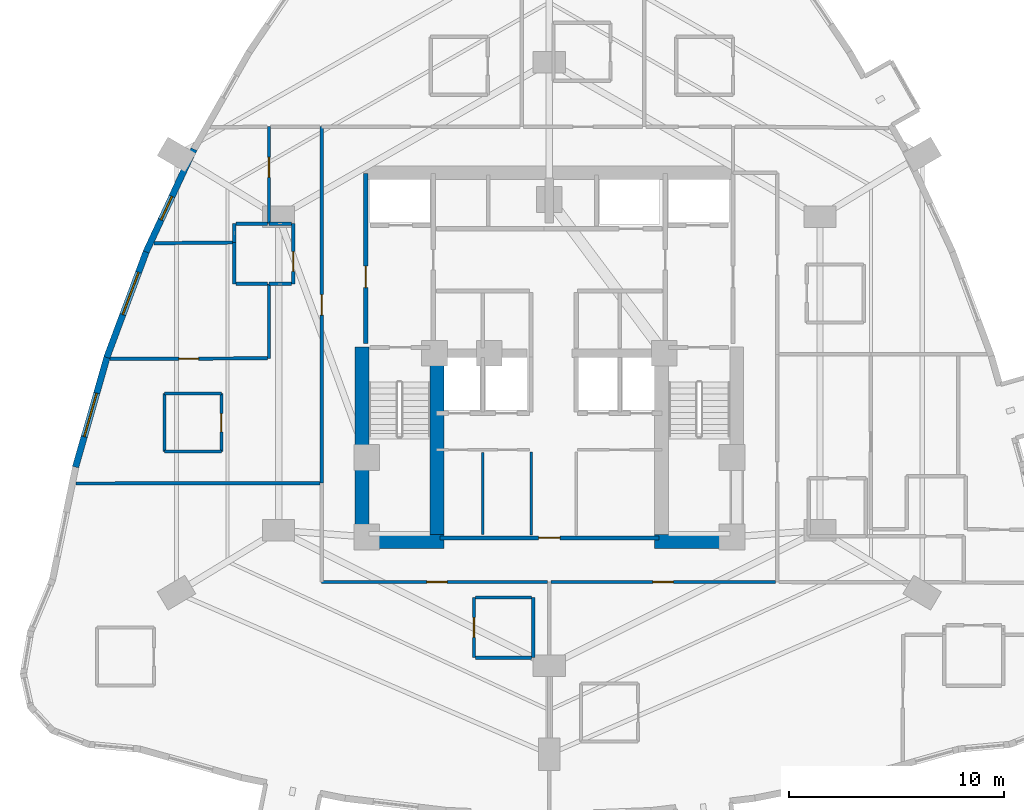
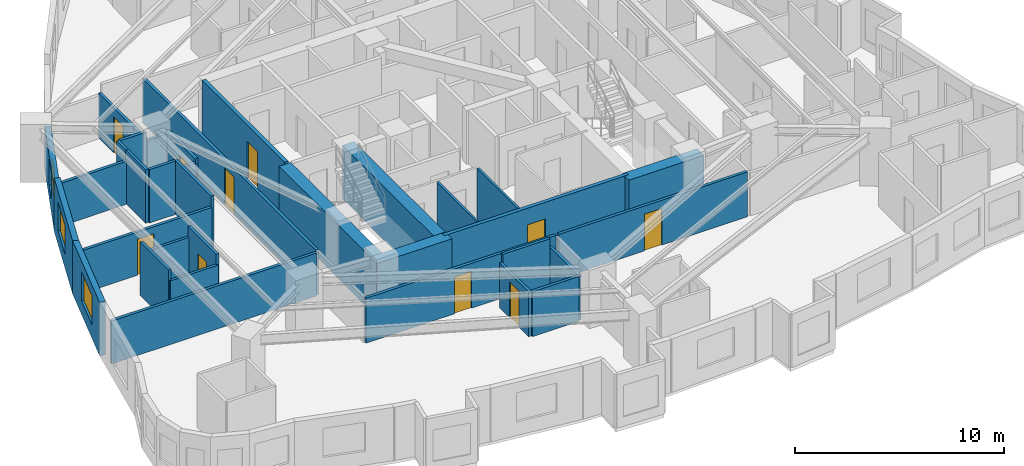
# One storey, part 7 of 13: 34 walls, 10 doors, 3 windows, 13 openings.
"""IFC4 building model written with IfcOpenShell, lengths in metres."""

from ifc_helpers import new_model, si_unit, direction, frame, frame_2d, origin, place, context, subcontext, project, spatial, rectangle, extrude, material, layer, layer_set, type_object, element, fill, save


model = new_model("IFC4")

# Units and contexts
model_context = context("Model", 3, precision=1e-05, world=origin(), true_north=direction((0.0, 1.0)))
body_context = subcontext(model_context, "Body", "Model", "MODEL_VIEW")
ifc_project = project(units=[si_unit("LENGTHUNIT", "METRE"), si_unit("AREAUNIT", "SQUARE_METRE"), si_unit("VOLUMEUNIT", "CUBIC_METRE"), si_unit("PLANEANGLEUNIT", "RADIAN"), si_unit("MASSUNIT", "GRAM", prefix="KILO")], contexts=[model_context])

# Site, building, storey
site_placement = place(None, origin())
site = spatial("IfcSite", under=ifc_project, at=site_placement, CompositionType="ELEMENT")
building_placement = place(site_placement, origin())
building = spatial("IfcBuilding", under=site, at=building_placement, Name="Miruveldt Soraemaru", CompositionType="ELEMENT")
storey_placement = place(building_placement, frame((0.0, 0.0, 59.800048828125)))
storey = spatial("IfcBuildingStorey", under=building, at=storey_placement, Name="L16", CompositionType="ELEMENT", Elevation=59.800048828125)

# Walls
ifc_material_1 = material(Name="Concrete C80/95 (80 MPa)", Category="concrete")
ifc_layer_1 = layer(ifc_material_1, 0.64990234375, Name="Concrete C80/95 (80 MPa)", Category="concrete")
ifc_layer_set_1 = layer_set([ifc_layer_1], Name="Concrete C80/95 (80 MPa)")
wall_type_1 = type_object("IfcWallType", Name="WALL-CW-650", PredefinedType="SHEAR", material=ifc_layer_set_1)
for number, where, z_axis, x_axis, name in (
    (1, (34.949951171875, 35.27490234375, 0.0), (0.0, 0.0, 1.0), (1.0, 0.0, 0.0), "L16 Central Core Shear Wall S1"),
    (2, (48.89990234375, 35.27490234375, 0.0), (0.0, 0.0, 1.0), (1.0, 0.0, 0.0), "L16 Central Core Shear Wall S2"),
):
    element("IfcWall", number, at=place(storey_placement, frame(where, z_axis=z_axis, x_axis=x_axis)), inside=storey, type_object=wall_type_1, Name=name, PredefinedType="SHEAR", context=body_context, shape_type="SweptSolid", body=[
        extrude(rectangle(XDim=4.150146484375, YDim=0.64990234375, at=frame_2d((2.0751953125, 0.0))), origin(), (0.0, 0.0, 1.0), 3.125),
    ])
wall_1_placement = place(storey_placement, frame((35.27490234375, 34.949951171875, 0.0), z_axis=(0.0, 0.0, 1.0), x_axis=(0.0, 1.0, 0.0)))
element("IfcWall", 3, at=wall_1_placement, inside=storey, type_object=wall_type_1, Name="L16 Central Core Shear Wall W1", PredefinedType="SHEAR", context=body_context, shape_type="SweptSolid", body=[
    extrude(rectangle(XDim=9.400146484375, YDim=0.64990234375, at=frame_2d((4.7001953125, 0.0))), origin(), (0.0, 0.0, 1.0), 3.125),
])
wall_2_placement = place(storey_placement, frame((38.77490234375, 35.39990234375, 0.0), z_axis=(0.0, 0.0, 1.0), x_axis=(0.0, 1.0, 0.0)))
element("IfcWall", 4, at=wall_2_placement, inside=storey, type_object=wall_type_1, Name="L16 Central Core Shear Wall SW-INT", PredefinedType="SHEAR", context=body_context, shape_type="SweptSolid", body=[
    extrude(rectangle(XDim=8.9501953125, YDim=0.64990234375, at=frame_2d((4.47509765625, 0.0))), origin(), (0.0, 0.0, 1.0), 3.125),
])

# Wall, opening, window
ifc_material_2 = material(Name="Precast concrete C45/55 (45 MPa)", Category="concrete")
ifc_layer_2 = layer(ifc_material_2, 0.300048828125, Name="Precast concrete C45/55 (45 MPa)", Category="concrete")
ifc_layer_set_2 = layer_set([ifc_layer_2], Name="Precast concrete C45/55 (45 MPa)")
wall_type_2 = type_object("IfcWallType", Name="WALL-EXT-PC300", PredefinedType="SOLIDWALL", material=ifc_layer_set_2)
wall_3_placement = place(storey_placement, frame((27.45947265625, 53.548583984375, 0.0), z_axis=(0.0, 0.0, 1.0), x_axis=(-0.422343511182, -0.906435854632, 0.0)))
wall_3 = element("IfcWall", 5, at=wall_3_placement, inside=storey, type_object=wall_type_2, Name="L16 Precast Concrete Facade Wall 11", PredefinedType="SOLIDWALL", context=body_context, shape_type="SweptSolid", body=[
    extrude(rectangle(XDim=5.2783203125, YDim=0.300048828125, at=frame_2d((2.63916015625, 0.0))), origin(), (0.0, 0.0, 1.0), 2.512939453125),
])
opening_1_placement = place(wall_3_placement, frame((2.427001953125, 0.0, 0.780029296875)))
opening_1 = element("IfcOpeningElement", 6, at=opening_1_placement, cuts=wall_3, Name="Opening WN-4", PredefinedType="OPENING", context=body_context, shape_type="SweptSolid", body=[
    extrude(rectangle(XDim=1.199951171875, YDim=1.550048828125, at=frame_2d((0.60009765625, 0.77490234375))), frame((0.0, 0.16015625, 0.0), z_axis=(0.0, -1.0, 0.0), x_axis=(1.0, 0.0, 0.0)), (0.0, 0.0, 1.0), 0.320068359375),
])
ifc_material_3 = material(Name="Triple low-e insulated glazing", Category="glass")
window_type_1 = type_object("IfcWindowType", Name="WIN-PUNCH-1200x1550", PartitioningType="SINGLE_PANEL", PredefinedType="WINDOW", material=ifc_material_3)
window_1_placement = place(opening_1_placement, origin())
window_1 = element("IfcWindow", 7, at=window_1_placement, inside=storey, type_object=window_type_1, Name="L16 Punched Triple-Glazed Window 11.1", OverallHeight=1.550048828125, OverallWidth=1.199951171875, PartitioningType="SINGLE_PANEL", PredefinedType="WINDOW", context=body_context, shape_type="SweptSolid", body=[
    extrude(rectangle(XDim=1.199951171875, YDim=1.550048828125, at=frame_2d((0.60009765625, 0.77490234375))), frame((0.0, 0.030029296875, 0.0), z_axis=(0.0, -1.0, 0.0), x_axis=(1.0, 0.0, 0.0)), (0.0, 0.0, 1.0), 0.06005859375),
])
fill(opening_1, window_1)

wall_4_placement = place(storey_placement, frame((25.25732421875, 48.82861328125, 0.0), z_axis=(0.0, 0.0, 1.0), x_axis=(-0.349006928215, -0.937120143876, 0.0)))
wall_4 = element("IfcWall", 8, at=wall_4_placement, inside=storey, type_object=wall_type_2, Name="L16 Precast Concrete Facade Wall 12", PredefinedType="SOLIDWALL", context=body_context, shape_type="SweptSolid", body=[
    extrude(rectangle(XDim=5.3115234375, YDim=0.300048828125, at=frame_2d((2.65576171875, 0.0))), origin(), (0.0, 0.0, 1.0), 3.125),
])
opening_2_placement = place(wall_4_placement, frame((1.08203125, 0.0, 0.800048828125)))
opening_2 = element("IfcOpeningElement", 9, at=opening_2_placement, cuts=wall_4, Name="Opening WN-1", PredefinedType="OPENING", context=body_context, shape_type="SweptSolid", body=[
    extrude(rectangle(XDim=2.10009765625, YDim=1.699951171875, at=frame_2d((1.050048828125, 0.85009765625))), frame((0.0, 0.16015625, 0.0), z_axis=(0.0, -1.0, 0.0), x_axis=(1.0, 0.0, 0.0)), (0.0, 0.0, 1.0), 0.320068359375),
])
window_type_2 = type_object("IfcWindowType", Name="WIN-PUNCH-2100x1700", PartitioningType="SINGLE_PANEL", PredefinedType="WINDOW", material=ifc_material_3)
window_2_placement = place(opening_2_placement, origin())
window_2 = element("IfcWindow", 10, at=window_2_placement, inside=storey, type_object=window_type_2, Name="L16 Punched Triple-Glazed Window 12.1", OverallHeight=1.699951171875, OverallWidth=2.10009765625, PartitioningType="SINGLE_PANEL", PredefinedType="WINDOW", context=body_context, shape_type="SweptSolid", body=[
    extrude(rectangle(XDim=2.10009765625, YDim=1.699951171875, at=frame_2d((1.050048828125, 0.85009765625))), frame((0.0, 0.030029296875, 0.0), z_axis=(0.0, -1.0, 0.0), x_axis=(1.0, 0.0, 0.0)), (0.0, 0.0, 1.0), 0.06005859375),
])
fill(opening_2, window_2)

wall_5_placement = place(storey_placement, frame((23.42529296875, 43.91748046875, 0.0), z_axis=(0.0, 0.0, 1.0), x_axis=(-0.274960984618, -0.961455384788, 0.0)))
wall_5 = element("IfcWall", 11, at=wall_5_placement, inside=storey, type_object=wall_type_2, Name="L16 Precast Concrete Facade Wall 13", PredefinedType="SOLIDWALL", context=body_context, shape_type="SweptSolid", body=[
    extrude(rectangle(XDim=5.377197265625, YDim=0.300048828125, at=frame_2d((2.6884765625, 0.0))), origin(), (0.0, 0.0, 1.0), 3.125),
])
opening_3_placement = place(wall_5_placement, frame((1.802978515625, 0.0, 0.800048828125)))
opening_3 = element("IfcOpeningElement", 12, at=opening_3_placement, cuts=wall_5, Name="Opening WN-1", PredefinedType="OPENING", context=body_context, shape_type="SweptSolid", body=[
    extrude(rectangle(XDim=2.10009765625, YDim=1.699951171875, at=frame_2d((1.050048828125, 0.85009765625))), frame((0.0, 0.16015625, 0.0), z_axis=(0.0, -1.0, 0.0), x_axis=(1.0, 0.0, 0.0)), (0.0, 0.0, 1.0), 0.320068359375),
])
window_3_placement = place(opening_3_placement, origin())
window_3 = element("IfcWindow", 13, at=window_3_placement, inside=storey, type_object=window_type_2, Name="L16 Punched Triple-Glazed Window 13.1", OverallHeight=1.699951171875, OverallWidth=2.10009765625, PartitioningType="SINGLE_PANEL", PredefinedType="WINDOW", context=body_context, shape_type="SweptSolid", body=[
    extrude(rectangle(XDim=2.10009765625, YDim=1.699951171875, at=frame_2d((1.050048828125, 0.85009765625))), frame((0.0, 0.030029296875, 0.0), z_axis=(0.0, -1.0, 0.0), x_axis=(1.0, 0.0, 0.0)), (0.0, 0.0, 1.0), 0.06005859375),
])
fill(opening_3, window_3)

# Walls
ifc_material_4 = material(Name="Gypsum plasterboard lining", Category="gypsum")
ifc_layer_3 = layer(ifc_material_4, 0.1201171875, Name="Gypsum plasterboard lining", Category="gypsum")
ifc_layer_set_3 = layer_set([ifc_layer_3], Name="Gypsum plasterboard lining")
wall_type_3 = type_object("IfcWallType", Name="WALL-INT-P120", PredefinedType="PARTITIONING", material=ifc_layer_set_3)
wall_6_placement = place(storey_placement, frame((43.14990234375, 35.580078125, 0.0), z_axis=(0.0, 0.0, 1.0), x_axis=(0.0, 1.0, 0.0)))
element("IfcWall", 14, at=wall_6_placement, inside=storey, type_object=wall_type_3, Name="L16 Core Compartment Wall SP-WS", PredefinedType="PARTITIONING", context=body_context, shape_type="SweptSolid", body=[
    extrude(rectangle(XDim=3.869873046875, YDim=0.1201171875, at=frame_2d((1.93505859375, 0.0))), origin(), (0.0, 0.0, 1.0), 3.125),
])
wall_7_placement = place(storey_placement, frame((40.89990234375, 35.60009765625, 0.0), z_axis=(0.0, 0.0, 1.0), x_axis=(0.0, 1.0, 0.0)))
element("IfcWall", 15, at=wall_7_placement, inside=storey, type_object=wall_type_3, Name="L16 Core Compartment Wall CW1-V", PredefinedType="PARTITIONING", context=body_context, shape_type="SweptSolid", body=[
    extrude(rectangle(XDim=3.81982421875, YDim=0.1201171875, at=frame_2d((1.909912109375, 0.0))), origin(), (0.0, 0.0, 1.0), 3.125),
])

# Wall, opening, door
ifc_layer_4 = layer(ifc_material_4, 0.14990234375, Name="Gypsum plasterboard lining", Category="gypsum")
ifc_layer_set_4 = layer_set([ifc_layer_4], Name="Gypsum plasterboard lining")
wall_type_4 = type_object("IfcWallType", Name="WALL-INT-PLUMB", PredefinedType="PLUMBINGWALL", material=ifc_layer_set_4)
wall_8_placement = place(storey_placement, frame((28.73388671875, 39.47998046875, 0.0), z_axis=(0.0, 0.0, 1.0), x_axis=(0.0, 1.0, 0.0)))
wall_8 = element("IfcWall", 16, at=wall_8_placement, inside=storey, type_object=wall_type_4, Name="L16 Partition Wall 42", PredefinedType="PLUMBINGWALL", context=body_context, shape_type="SweptSolid", body=[
    extrude(rectangle(XDim=2.699951171875, YDim=0.14990234375, at=frame_2d((1.35009765625, 0.0))), origin(), (0.0, 0.0, 1.0), 3.125),
])
opening_4_placement = place(wall_8_placement, frame((0.909912109375, 0.0, 0.0)))
opening_4 = element("IfcOpeningElement", 17, at=opening_4_placement, cuts=wall_8, Name="Opening FD3", PredefinedType="OPENING", context=body_context, shape_type="SweptSolid", body=[
    extrude(rectangle(XDim=0.85009765625, YDim=2.10009765625, at=frame_2d((0.425048828125, 1.050048828125))), frame((0.0, 0.0849609375, 0.0), z_axis=(0.0, -1.0, 0.0), x_axis=(1.0, 0.0, 0.0)), (0.0, 0.0, 1.0), 0.169921875),
])
ifc_material_5 = material(Name="Anodised aluminium EN AW-6063 T6", Category="aluminium")
door_type_1 = type_object("IfcDoorType", Name="DOOR-FD3-850", OperationType="NOTDEFINED", PredefinedType="DOOR", material=ifc_material_5)
door_1_placement = place(opening_4_placement, origin())
door_1 = element("IfcDoor", 18, at=door_1_placement, inside=storey, type_object=door_type_1, Name="L16 Unit 1605 BTH Door", OperationType="SINGLE_SWING_LEFT", OverallHeight=2.10009765625, OverallWidth=0.85009765625, PredefinedType="DOOR", context=body_context, shape_type="SweptSolid", body=[
    extrude(rectangle(XDim=0.85009765625, YDim=2.10009765625, at=frame_2d((0.425048828125, 1.050048828125))), frame((0.0, 0.02490234375, 0.0), z_axis=(0.0, -1.0, 0.0), x_axis=(1.0, 0.0, 0.0)), (0.0, 0.0, 1.0), 0.050048828125),
])
fill(opening_4, door_1)

# Walls
wall_9_placement = place(storey_placement, frame((26.083984375, 42.179931640625, 0.0), z_axis=(0.0, 0.0, 1.0), x_axis=(0.0, -1.0, 0.0)))
element("IfcWall", 19, at=wall_9_placement, inside=storey, type_object=wall_type_4, Name="L16 Partition Wall 44", PredefinedType="PLUMBINGWALL", context=body_context, shape_type="SweptSolid", body=[
    extrude(rectangle(XDim=2.699951171875, YDim=0.14990234375, at=frame_2d((1.35009765625, 0.0))), origin(), (0.0, 0.0, 1.0), 3.125),
])
for number, where, z_axis, x_axis, name in (
    (20, (28.73388671875, 42.179931640625, 0.0), (0.0, 0.0, 1.0), (-1.0, 0.0, 0.0), "L16 Partition Wall 43"),
    (21, (26.083984375, 39.47998046875, 0.0), (0.0, 0.0, 1.0), (1.0, 0.0, 0.0), "L16 Partition Wall 45"),
):
    element("IfcWall", number, at=place(storey_placement, frame(where, z_axis=z_axis, x_axis=x_axis)), inside=storey, type_object=wall_type_4, Name=name, PredefinedType="PLUMBINGWALL", context=body_context, shape_type="SweptSolid", body=[
        extrude(rectangle(XDim=2.64990234375, YDim=0.14990234375, at=frame_2d((1.324951171875, 0.0))), origin(), (0.0, 0.0, 1.0), 2.512939453125),
    ])

# Wall, opening, door
ifc_material_6 = material(Name="Concrete C40/50 (40 MPa)", Category="concrete")
ifc_layer_5 = layer(ifc_material_6, 0.159912109375, Name="Concrete C40/50 (40 MPa)", Category="concrete")
ifc_layer_set_5 = layer_set([ifc_layer_5], Name="Concrete C40/50 (40 MPa)")
wall_type_5 = type_object("IfcWallType", Name="WALL-INT-RC160", PredefinedType="SOLIDWALL", material=ifc_layer_set_5)
wall_10_placement = place(storey_placement, frame((33.39990234375, 54.60009765625, 0.0), z_axis=(0.0, 0.0, 1.0), x_axis=(0.0, -1.0, 0.0)))
wall_10 = element("IfcWall", 22, at=wall_10_placement, inside=storey, type_object=wall_type_5, Name="L16 Partition Wall 4", PredefinedType="SOLIDWALL", context=body_context, shape_type="SweptSolid", body=[
    extrude(rectangle(XDim=16.60009765625, YDim=0.159912109375, at=frame_2d((8.300048828125, 0.0))), origin(), (0.0, 0.0, 1.0), 2.625),
])
opening_5_placement = place(wall_10_placement, frame((7.824951171875, 0.0, 0.0)))
opening_5 = element("IfcOpeningElement", 23, at=opening_5_placement, cuts=wall_10, Name="Opening FD2", PredefinedType="OPENING", context=body_context, shape_type="SweptSolid", body=[
    extrude(rectangle(XDim=0.949951171875, YDim=2.14990234375, at=frame_2d((0.47509765625, 1.074951171875))), frame((0.0, 0.08984375, 0.0), z_axis=(0.0, -1.0, 0.0), x_axis=(1.0, 0.0, 0.0)), (0.0, 0.0, 1.0), 0.179931640625),
])
door_type_2 = type_object("IfcDoorType", Name="DOOR-FD2-950", OperationType="NOTDEFINED", PredefinedType="DOOR", material=ifc_material_5)
door_2_placement = place(opening_5_placement, origin())
door_2 = element("IfcDoor", 24, at=door_2_placement, inside=storey, type_object=door_type_2, Name="L16 Unit 1605 Entrance Fire Door", OperationType="SINGLE_SWING_RIGHT", OverallHeight=2.14990234375, OverallWidth=0.949951171875, PredefinedType="DOOR", context=body_context, shape_type="SweptSolid", body=[
    extrude(rectangle(XDim=0.949951171875, YDim=2.14990234375, at=frame_2d((0.47509765625, 1.074951171875))), frame((0.0, 0.02490234375, 0.0), z_axis=(0.0, -1.0, 0.0), x_axis=(1.0, 0.0, 0.0)), (0.0, 0.0, 1.0), 0.050048828125),
])
fill(opening_5, door_2)

wall_11_placement = place(storey_placement, frame((33.39990234375, 33.39990234375, 0.0), z_axis=(0.0, 0.0, 1.0), x_axis=(1.0, 0.0, 0.0)))
wall_11 = element("IfcWall", 25, at=wall_11_placement, inside=storey, type_object=wall_type_5, Name="L16 Partition Wall 10", PredefinedType="SOLIDWALL", context=body_context, shape_type="SweptSolid", body=[
    extrude(rectangle(XDim=10.52001953125, YDim=0.159912109375, at=frame_2d((5.260009765625, 0.0))), origin(), (0.0, 0.0, 1.0), 2.625),
])
opening_6_placement = place(wall_11_placement, frame((4.89501953125, 0.0, 0.0)))
opening_6 = element("IfcOpeningElement", 26, at=opening_6_placement, cuts=wall_11, Name="Opening FD2", PredefinedType="OPENING", context=body_context, shape_type="SweptSolid", body=[
    extrude(rectangle(XDim=0.949951171875, YDim=2.14990234375, at=frame_2d((0.47509765625, 1.074951171875))), frame((0.0, 0.08984375, 0.0), z_axis=(0.0, -1.0, 0.0), x_axis=(1.0, 0.0, 0.0)), (0.0, 0.0, 1.0), 0.179931640625),
])
door_3_placement = place(opening_6_placement, origin())
door_3 = element("IfcDoor", 27, at=door_3_placement, inside=storey, type_object=door_type_2, Name="L16 Unit CL08 Entrance Fire Door", OperationType="SINGLE_SWING_RIGHT", OverallHeight=2.14990234375, OverallWidth=0.949951171875, PredefinedType="DOOR", context=body_context, shape_type="SweptSolid", body=[
    extrude(rectangle(XDim=0.949951171875, YDim=2.14990234375, at=frame_2d((0.47509765625, 1.074951171875))), frame((0.0, 0.02490234375, 0.0), z_axis=(0.0, -1.0, 0.0), x_axis=(1.0, 0.0, 0.0)), (0.0, 0.0, 1.0), 0.050048828125),
])
fill(opening_6, door_3)

wall_12_placement = place(storey_placement, frame((44.080078125, 33.39990234375, 0.0), z_axis=(0.0, 0.0, 1.0), x_axis=(1.0, 0.0, 0.0)))
wall_12 = element("IfcWall", 28, at=wall_12_placement, inside=storey, type_object=wall_type_5, Name="L16 Partition Wall 11", PredefinedType="SOLIDWALL", context=body_context, shape_type="SweptSolid", body=[
    extrude(rectangle(XDim=10.43994140625, YDim=0.159912109375, at=frame_2d((5.219970703125, 0.0))), origin(), (0.0, 0.0, 1.0), 2.625),
])
opening_7_placement = place(wall_12_placement, frame((4.7451171875, 0.0, 0.0)))
opening_7 = element("IfcOpeningElement", 29, at=opening_7_placement, cuts=wall_12, Name="Opening FD2", PredefinedType="OPENING", context=body_context, shape_type="SweptSolid", body=[
    extrude(rectangle(XDim=0.949951171875, YDim=2.14990234375, at=frame_2d((0.47509765625, 1.074951171875))), frame((0.0, 0.08984375, 0.0), z_axis=(0.0, -1.0, 0.0), x_axis=(1.0, 0.0, 0.0)), (0.0, 0.0, 1.0), 0.179931640625),
])
door_4_placement = place(opening_7_placement, origin())
door_4 = element("IfcDoor", 30, at=door_4_placement, inside=storey, type_object=door_type_2, Name="L16 Unit 1609 Entrance Fire Door", OperationType="SINGLE_SWING_LEFT", OverallHeight=2.14990234375, OverallWidth=0.949951171875, PredefinedType="DOOR", context=body_context, shape_type="SweptSolid", body=[
    extrude(rectangle(XDim=0.949951171875, YDim=2.14990234375, at=frame_2d((0.47509765625, 1.074951171875))), frame((0.0, 0.02490234375, 0.0), z_axis=(0.0, -1.0, 0.0), x_axis=(1.0, 0.0, 0.0)), (0.0, 0.0, 1.0), 0.050048828125),
])
fill(opening_7, door_4)

wall_13_placement = place(storey_placement, frame((30.8701171875, 43.81005859375, 0.0), z_axis=(0.0, 0.0, 1.0), x_axis=(-0.999995072111, -0.003139387375, 0.0)))
wall_13 = element("IfcWall", 31, at=wall_13_placement, inside=storey, type_object=wall_type_5, Name="L16 Partition Wall 50", PredefinedType="SOLIDWALL", context=body_context, shape_type="SweptSolid", body=[
    extrude(rectangle(XDim=7.31005859375, YDim=0.159912109375, at=frame_2d((3.655029296875, 0.0))), origin(), (0.0, 0.0, 1.0), 2.512939453125),
])
opening_8_placement = place(wall_13_placement, frame((3.195068359375, 0.0, 0.0)))
opening_8 = element("IfcOpeningElement", 32, at=opening_8_placement, cuts=wall_13, Name="Opening D3A", PredefinedType="OPENING", context=body_context, shape_type="SweptSolid", body=[
    extrude(rectangle(XDim=0.919921875, YDim=2.10009765625, at=frame_2d((0.4599609375, 1.050048828125))), frame((0.0, 0.08984375, 0.0), z_axis=(0.0, -1.0, 0.0), x_axis=(1.0, 0.0, 0.0)), (0.0, 0.0, 1.0), 0.179931640625),
])
door_type_3 = type_object("IfcDoorType", Name="DOOR-INT-920", OperationType="NOTDEFINED", PredefinedType="DOOR", material=ifc_material_5)
door_5_placement = place(opening_8_placement, origin())
door_5 = element("IfcDoor", 33, at=door_5_placement, inside=storey, type_object=door_type_3, Name="L16 Unit 1605 BD1 Door", OperationType="SINGLE_SWING_LEFT", OverallHeight=2.10009765625, OverallWidth=0.919921875, PredefinedType="DOOR", context=body_context, shape_type="SweptSolid", body=[
    extrude(rectangle(XDim=0.919921875, YDim=2.10009765625, at=frame_2d((0.4599609375, 1.050048828125))), frame((0.0, 0.02490234375, 0.0), z_axis=(0.0, -1.0, 0.0), x_axis=(1.0, 0.0, 0.0)), (0.0, 0.0, 1.0), 0.050048828125),
])
fill(opening_8, door_5)

wall_14_placement = place(storey_placement, frame((30.949951171875, 54.60009765625, 0.0), z_axis=(0.0, 0.0, 1.0), x_axis=(0.0, -1.0, 0.0)))
wall_14 = element("IfcWall", 34, at=wall_14_placement, inside=storey, type_object=wall_type_5, Name="L16 Partition Wall 51", PredefinedType="SOLIDWALL", context=body_context, shape_type="SweptSolid", body=[
    extrude(rectangle(XDim=4.52001953125, YDim=0.159912109375, at=frame_2d((2.260009765625, 0.0))), origin(), (0.0, 0.0, 1.0), 2.625),
])
opening_9_placement = place(wall_14_placement, frame((1.43994140625, 0.0, 0.0)))
opening_9 = element("IfcOpeningElement", 35, at=opening_9_placement, cuts=wall_14, Name="Opening D3A", PredefinedType="OPENING", context=body_context, shape_type="SweptSolid", body=[
    extrude(rectangle(XDim=0.919921875, YDim=2.10009765625, at=frame_2d((0.4599609375, 1.050048828125))), frame((0.0, 0.08984375, 0.0), z_axis=(0.0, -1.0, 0.0), x_axis=(1.0, 0.0, 0.0)), (0.0, 0.0, 1.0), 0.179931640625),
])
door_6_placement = place(opening_9_placement, origin())
door_6 = element("IfcDoor", 36, at=door_6_placement, inside=storey, type_object=door_type_3, Name="L16 Unit 1605 EXT Door", OperationType="SINGLE_SWING_RIGHT", OverallHeight=2.10009765625, OverallWidth=0.919921875, PredefinedType="DOOR", context=body_context, shape_type="SweptSolid", body=[
    extrude(rectangle(XDim=0.919921875, YDim=2.10009765625, at=frame_2d((0.4599609375, 1.050048828125))), frame((0.0, 0.02490234375, 0.0), z_axis=(0.0, -1.0, 0.0), x_axis=(1.0, 0.0, 0.0)), (0.0, 0.0, 1.0), 0.050048828125),
])
fill(opening_9, door_6)

wall_15_placement = place(storey_placement, frame((32.083984375, 47.280029296875, 0.0), z_axis=(0.0, 0.0, 1.0), x_axis=(0.0, 1.0, 0.0)))
wall_15 = element("IfcWall", 37, at=wall_15_placement, inside=storey, type_object=wall_type_5, Name="L16 Partition Wall 46", PredefinedType="SOLIDWALL", context=body_context, shape_type="SweptSolid", body=[
    extrude(rectangle(XDim=2.800048828125, YDim=0.159912109375, at=frame_2d((1.39990234375, 0.0))), origin(), (0.0, 0.0, 1.0), 2.81298828125),
])
opening_10_placement = place(wall_15_placement, frame((0.580078125, 0.0, 0.0)))
opening_10 = element("IfcOpeningElement", 38, at=opening_10_placement, cuts=wall_15, Name="Opening D3A", PredefinedType="OPENING", context=body_context, shape_type="SweptSolid", body=[
    extrude(rectangle(XDim=0.919921875, YDim=2.10009765625, at=frame_2d((0.4599609375, 1.050048828125))), frame((0.0, 0.08984375, 0.0), z_axis=(0.0, -1.0, 0.0), x_axis=(1.0, 0.0, 0.0)), (0.0, 0.0, 1.0), 0.179931640625),
])
door_7_placement = place(opening_10_placement, origin())
door_7 = element("IfcDoor", 39, at=door_7_placement, inside=storey, type_object=door_type_3, Name="L16 Unit 1605 KIT Door", OperationType="SINGLE_SWING_RIGHT", OverallHeight=2.10009765625, OverallWidth=0.919921875, PredefinedType="DOOR", context=body_context, shape_type="SweptSolid", body=[
    extrude(rectangle(XDim=0.919921875, YDim=2.10009765625, at=frame_2d((0.4599609375, 1.050048828125))), frame((0.0, 0.02490234375, 0.0), z_axis=(0.0, -1.0, 0.0), x_axis=(1.0, 0.0, 0.0)), (0.0, 0.0, 1.0), 0.050048828125),
])
fill(opening_10, door_7)

wall_16_placement = place(storey_placement, frame((40.4951171875, 32.677978515625, 0.0), z_axis=(0.0, 0.0, 1.0), x_axis=(0.0, -1.0, 0.0)))
wall_16 = element("IfcWall", 40, at=wall_16_placement, inside=storey, type_object=wall_type_5, Name="L16 Partition Wall 77", PredefinedType="SOLIDWALL", context=body_context, shape_type="SweptSolid", body=[
    extrude(rectangle(XDim=2.800048828125, YDim=0.159912109375, at=frame_2d((1.39990234375, 0.0))), origin(), (0.0, 0.0, 1.0), 2.625),
])
opening_11_placement = place(wall_16_placement, frame((0.93994140625, 0.0, 0.0)))
opening_11 = element("IfcOpeningElement", 41, at=opening_11_placement, cuts=wall_16, Name="Opening D3A", PredefinedType="OPENING", context=body_context, shape_type="SweptSolid", body=[
    extrude(rectangle(XDim=0.919921875, YDim=2.10009765625, at=frame_2d((0.4599609375, 1.050048828125))), frame((0.0, 0.08984375, 0.0), z_axis=(0.0, -1.0, 0.0), x_axis=(1.0, 0.0, 0.0)), (0.0, 0.0, 1.0), 0.179931640625),
])
door_8_placement = place(opening_11_placement, origin())
door_8 = element("IfcDoor", 42, at=door_8_placement, inside=storey, type_object=door_type_3, Name="L16 Unit CL08 KIT Door", OperationType="SINGLE_SWING_RIGHT", OverallHeight=2.10009765625, OverallWidth=0.919921875, PredefinedType="DOOR", context=body_context, shape_type="SweptSolid", body=[
    extrude(rectangle(XDim=0.919921875, YDim=2.10009765625, at=frame_2d((0.4599609375, 1.050048828125))), frame((0.0, 0.02490234375, 0.0), z_axis=(0.0, -1.0, 0.0), x_axis=(1.0, 0.0, 0.0)), (0.0, 0.0, 1.0), 0.050048828125),
])
fill(opening_11, door_8)

# Walls
wall_17_placement = place(storey_placement, frame((21.9609375, 37.98388671875, 0.0), z_axis=(0.0, 0.0, 1.0), x_axis=(0.999998993324, 0.001418926206, 0.0)))
element("IfcWall", 43, at=wall_17_placement, inside=storey, type_object=wall_type_5, Name="L16 Partition Wall 52", PredefinedType="SOLIDWALL", context=body_context, shape_type="SweptSolid", body=[
    extrude(rectangle(XDim=11.35595703125, YDim=0.159912109375, at=frame_2d((5.677978515625, 0.0))), origin(), (0.0, 0.0, 1.0), 2.512939453125),
])
wall_18_placement = place(storey_placement, frame((29.25390625, 49.2041015625, 0.0), z_axis=(0.0, 0.0, 1.0), x_axis=(-0.999953688855, -0.009623936051, 0.0)))
element("IfcWall", 44, at=wall_18_placement, inside=storey, type_object=wall_type_5, Name="L16 Partition Wall 57", PredefinedType="SOLIDWALL", context=body_context, shape_type="SweptSolid", body=[
    extrude(rectangle(XDim=3.653076171875, YDim=0.159912109375, at=frame_2d((1.82666015625, 0.0))), origin(), (0.0, 0.0, 1.0), 2.512939453125),
])
wall_19_placement = place(storey_placement, frame((30.949951171875, 47.280029296875, 0.0), z_axis=(0.0, 0.0, 1.0), x_axis=(0.0, -1.0, 0.0)))
element("IfcWall", 45, at=wall_19_placement, inside=storey, type_object=wall_type_5, Name="L16 Partition Wall 49", PredefinedType="SOLIDWALL", context=body_context, shape_type="SweptSolid", body=[
    extrude(rectangle(XDim=3.469970703125, YDim=0.159912109375, at=frame_2d((1.73486328125, 0.0))), origin(), (0.0, 0.0, 1.0), 3.125),
])
wall_20_placement = place(storey_placement, frame((43.2451171875, 29.8779296875, 0.0), z_axis=(0.0, 0.0, 1.0), x_axis=(0.0, 1.0, 0.0)))
element("IfcWall", 46, at=wall_20_placement, inside=storey, type_object=wall_type_5, Name="L16 Partition Wall 75", PredefinedType="SOLIDWALL", context=body_context, shape_type="SweptSolid", body=[
    extrude(rectangle(XDim=2.800048828125, YDim=0.159912109375, at=frame_2d((1.39990234375, 0.0))), origin(), (0.0, 0.0, 1.0), 2.625),
])
wall_21_placement = place(storey_placement, frame((43.1650390625, 32.677978515625, 0.0), z_axis=(0.0, 0.0, 1.0), x_axis=(-1.0, 0.0, 0.0)))
element("IfcWall", 47, at=wall_21_placement, inside=storey, type_object=wall_type_5, Name="L16 Partition Wall 76", PredefinedType="SOLIDWALL", context=body_context, shape_type="SweptSolid", body=[
    extrude(rectangle(XDim=2.590087890625, YDim=0.159912109375, at=frame_2d((1.294921875, 0.0))), origin(), (0.0, 0.0, 1.0), 3.125),
])
wall_22_placement = place(storey_placement, frame((40.574951171875, 29.8779296875, 0.0), z_axis=(0.0, 0.0, 1.0), x_axis=(1.0, 0.0, 0.0)))
element("IfcWall", 48, at=wall_22_placement, inside=storey, type_object=wall_type_5, Name="L16 Partition Wall 78", PredefinedType="SOLIDWALL", context=body_context, shape_type="SweptSolid", body=[
    extrude(rectangle(XDim=2.590087890625, YDim=0.159912109375, at=frame_2d((1.294921875, 0.0))), origin(), (0.0, 0.0, 1.0), 2.625),
])
wall_23_placement = place(storey_placement, frame((29.333984375, 49.205078125, 0.0), z_axis=(0.0, 0.0, 1.0), x_axis=(0.0, -1.0, 0.0)))
element("IfcWall", 49, at=wall_23_placement, inside=storey, type_object=wall_type_5, Name="L16 Partition Wall 53", PredefinedType="SOLIDWALL", context=body_context, shape_type="SweptSolid", body=[
    extrude(rectangle(XDim=1.925048828125, YDim=0.159912109375, at=frame_2d((0.96240234375, 0.0))), origin(), (0.0, 0.0, 1.0), 3.125),
])
for number, where, z_axis, x_axis, name in (
    (50, (29.4140625, 47.280029296875, 0.0), (0.0, 0.0, 1.0), (1.0, 0.0, 0.0), "L16 Partition Wall 54"),
    (51, (30.8701171875, 50.080078125, 0.0), (0.0, 0.0, 1.0), (-1.0, 0.0, 0.0), "L16 Partition Wall 55"),
):
    element("IfcWall", number, at=place(storey_placement, frame(where, z_axis=z_axis, x_axis=x_axis)), inside=storey, type_object=wall_type_5, Name=name, PredefinedType="SOLIDWALL", context=body_context, shape_type="SweptSolid", body=[
        extrude(rectangle(XDim=1.4560546875, YDim=0.159912109375, at=frame_2d((0.72802734375, 0.0))), origin(), (0.0, 0.0, 1.0), 3.125),
    ])
for number, where, z_axis, x_axis, name in (
    (52, (32.00390625, 50.080078125, 0.0), (0.0, 0.0, 1.0), (-1.0, 0.0, 0.0), "L16 Partition Wall 47"),
    (53, (30.93994140625, 47.280029296875, 0.0), (0.0, 0.0, 1.0), (1.0, 0.0, 0.0), "L16 Partition Wall 48"),
):
    element("IfcWall", number, at=place(storey_placement, frame(where, z_axis=z_axis, x_axis=x_axis)), inside=storey, type_object=wall_type_5, Name=name, PredefinedType="SOLIDWALL", context=body_context, shape_type="SweptSolid", body=[
        extrude(rectangle(XDim=1.06396484375, YDim=0.159912109375, at=frame_2d((0.531982421875, 0.0))), origin(), (0.0, 0.0, 1.0), 2.625),
    ])
wall_24_placement = place(storey_placement, frame((29.333984375, 50.080078125, 0.0), z_axis=(0.0, 0.0, 1.0), x_axis=(0.0, -1.0, 0.0)))
element("IfcWall", 54, at=wall_24_placement, inside=storey, type_object=wall_type_5, Name="L16 Partition Wall 56", PredefinedType="SOLIDWALL", context=body_context, shape_type="SweptSolid", body=[
    extrude(rectangle(XDim=0.875, YDim=0.159912109375, at=frame_2d((0.4375, 0.0))), origin(), (0.0, 0.0, 1.0), 3.125),
])

# Wall, opening, door
ifc_layer_6 = layer(ifc_material_6, 0.199951171875, Name="Concrete C40/50 (40 MPa)", Category="concrete")
ifc_layer_set_6 = layer_set([ifc_layer_6], Name="Concrete C40/50 (40 MPa)")
wall_type_6 = type_object("IfcWallType", Name="WALL-INT-RC200", PredefinedType="SOLIDWALL", material=ifc_layer_set_6)
wall_25_placement = place(storey_placement, frame((38.89990234375, 35.449951171875, 0.0), z_axis=(0.0, 0.0, 1.0), x_axis=(1.0, 0.0, 0.0)))
wall_25 = element("IfcWall", 55, at=wall_25_placement, inside=storey, type_object=wall_type_6, Name="L16 Core Compartment Wall CS-S", PredefinedType="SOLIDWALL", context=body_context, shape_type="SweptSolid", body=[
    extrude(rectangle(XDim=10.2001953125, YDim=0.199951171875, at=frame_2d((5.10009765625, 0.0))), origin(), (0.0, 0.0, 1.0), 3.125),
])
opening_12_placement = place(wall_25_placement, frame((4.60009765625, 0.0, 0.0)))
opening_12 = element("IfcOpeningElement", 56, at=opening_12_placement, cuts=wall_25, Name="Opening FD1", PredefinedType="OPENING", context=body_context, shape_type="SweptSolid", body=[
    extrude(rectangle(XDim=1.0, YDim=2.14990234375, at=frame_2d((0.5, 1.074951171875))), frame((0.0, 0.10986328125, 0.0), z_axis=(0.0, -1.0, 0.0), x_axis=(1.0, 0.0, 0.0)), (0.0, 0.0, 1.0), 0.219970703125),
])
door_type_4 = type_object("IfcDoorType", Name="DOOR-FD1-1000", OperationType="NOTDEFINED", PredefinedType="DOOR", material=ifc_material_5)
door_9_placement = place(opening_12_placement, origin())
door_9 = element("IfcDoor", 57, at=door_9_placement, inside=storey, type_object=door_type_4, Name="L16 Core South Lobby Fire Door", OperationType="SINGLE_SWING_LEFT", OverallHeight=2.14990234375, OverallWidth=1.0, PredefinedType="DOOR", context=body_context, shape_type="SweptSolid", body=[
    extrude(rectangle(XDim=1.0, YDim=2.14990234375, at=frame_2d((0.5, 1.074951171875))), frame((0.0, 0.02490234375, 0.0), z_axis=(0.0, -1.0, 0.0), x_axis=(1.0, 0.0, 0.0)), (0.0, 0.0, 1.0), 0.050048828125),
])
fill(opening_12, door_9)

wall_26_placement = place(storey_placement, frame((35.449951171875, 44.5, 0.0), z_axis=(0.0, 0.0, 1.0), x_axis=(0.0, 1.0, 0.0)))
wall_26 = element("IfcWall", 58, at=wall_26_placement, inside=storey, type_object=wall_type_6, Name="L16 Core Compartment Wall FFW-OUT", PredefinedType="SOLIDWALL", context=body_context, shape_type="SweptSolid", body=[
    extrude(rectangle(XDim=7.919921875, YDim=0.199951171875, at=frame_2d((3.9599609375, 0.0))), origin(), (0.0, 0.0, 1.0), 3.125),
])
opening_13_placement = place(wall_26_placement, frame((2.60009765625, 0.0, 0.0)))
opening_13 = element("IfcOpeningElement", 59, at=opening_13_placement, cuts=wall_26, Name="Opening FD1", PredefinedType="OPENING", context=body_context, shape_type="SweptSolid", body=[
    extrude(rectangle(XDim=1.0, YDim=2.14990234375, at=frame_2d((0.5, 1.074951171875))), frame((0.0, 0.10986328125, 0.0), z_axis=(0.0, -1.0, 0.0), x_axis=(1.0, 0.0, 0.0)), (0.0, 0.0, 1.0), 0.219970703125),
])
door_10_placement = place(opening_13_placement, origin())
door_10 = element("IfcDoor", 60, at=door_10_placement, inside=storey, type_object=door_type_4, Name="L16 West Firefighting Lobby Exit Door", OperationType="SINGLE_SWING_LEFT", OverallHeight=2.14990234375, OverallWidth=1.0, PredefinedType="DOOR", context=body_context, shape_type="SweptSolid", body=[
    extrude(rectangle(XDim=1.0, YDim=2.14990234375, at=frame_2d((0.5, 1.074951171875))), frame((0.0, 0.02490234375, 0.0), z_axis=(0.0, -1.0, 0.0), x_axis=(1.0, 0.0, 0.0)), (0.0, 0.0, 1.0), 0.050048828125),
])
fill(opening_13, door_10)

save(model, "model.ifc")
